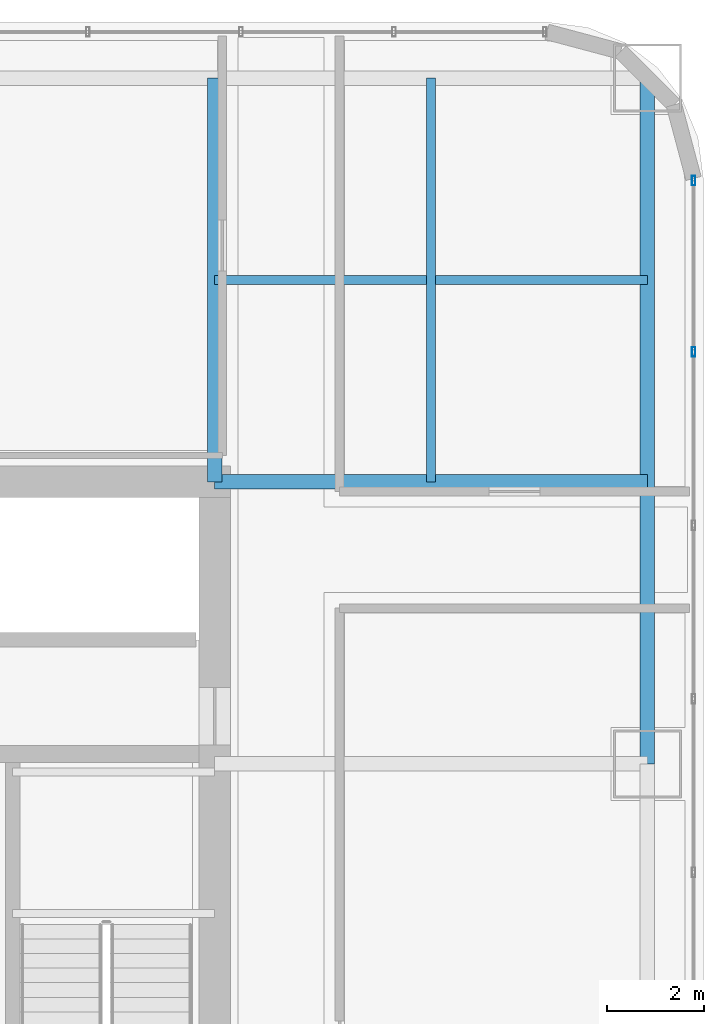
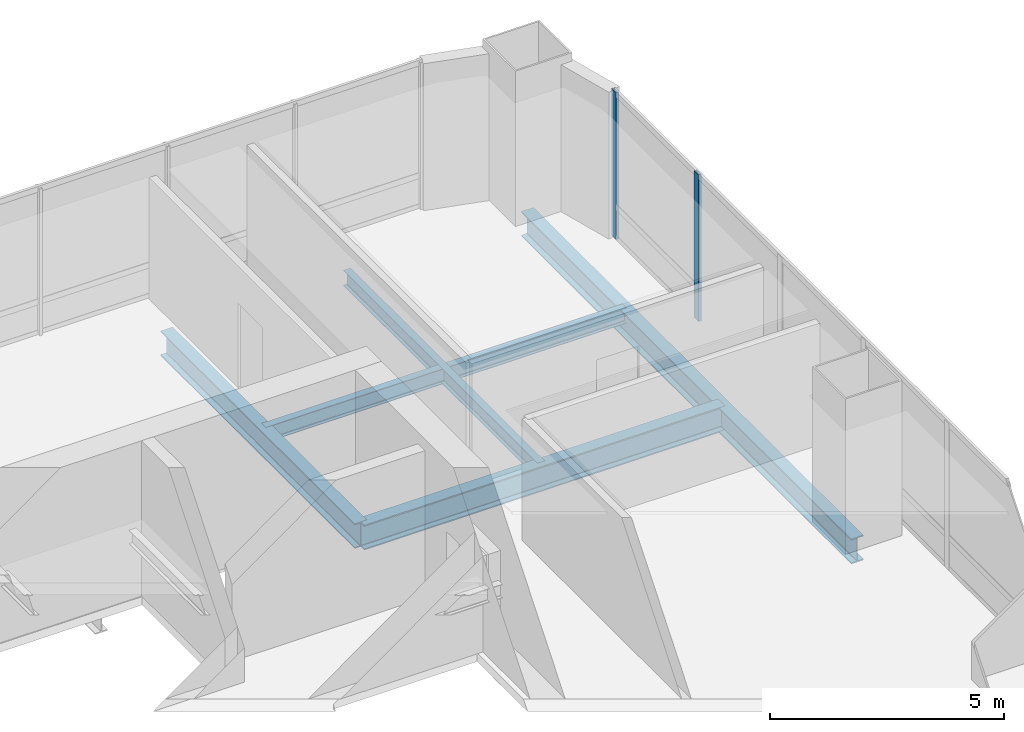
# One storey, part 23 of 38: 5 beams, 2 members, 1 element without a shape of its own.
"""IFC4 building model written with IfcOpenShell, lengths in metres."""

from ifc_helpers import new_model, si_unit, direction, frame, origin, origin_2d, place, context, subcontext, project, spatial, hollow_rectangle, i_section, extrude, material, material_profile, profile_set, type_object, element, aggregate, save


model = new_model("IFC4")

# Units and contexts
model_context = context("Model", 3, precision=1e-05, world=origin(), true_north=direction((0.0, 1.0)))
body_context = subcontext(model_context, "Body", "Model", "MODEL_VIEW")
ifc_project = project(units=[si_unit("LENGTHUNIT", "METRE"), si_unit("AREAUNIT", "SQUARE_METRE"), si_unit("VOLUMEUNIT", "CUBIC_METRE"), si_unit("PLANEANGLEUNIT", "RADIAN"), si_unit("MASSUNIT", "GRAM", prefix="KILO")], contexts=[model_context])

# Site, building, storey
site_placement = place(None, origin())
site = spatial("IfcSite", under=ifc_project, at=site_placement, CompositionType="ELEMENT")
building_placement = place(site_placement, origin())
building = spatial("IfcBuilding", under=site, at=building_placement, Name="Punatoya Terracotta Tower", CompositionType="ELEMENT")
storey_placement = place(building_placement, frame((0.0, 0.0, 188.39990234375)))
storey = spatial("IfcBuildingStorey", under=building, at=storey_placement, Name="L44", CompositionType="ELEMENT", Elevation=188.39990234375)

# Beams
ifc_material_1 = material(Name="Steel S355", Category="steel")
ifc_material_profile_1 = material_profile(ifc_material_1, i_section(OverallWidth=0.300048828125, OverallDepth=0.64990234375, WebThickness=0.01611328125, FlangeThickness=0.031005859375, FilletRadius=0.01806640625, at=origin_2d()))
ifc_profile_set_1 = profile_set([ifc_material_profile_1], Name="Steel S355")
beam_type_1 = type_object("IfcBeamType", Name="BM-PRI-650", PredefinedType="BEAM", material=ifc_profile_set_1)
beam_1_placement = place(storey_placement, frame((19.10009765625, 3.39990234375, -0.544921875), z_axis=(0.0, 1.0, 0.0), x_axis=(-1.0, 0.0, 0.0)))
element("IfcBeam", 1, at=beam_1_placement, inside=storey, type_object=beam_type_1, Name="BM-L44-RG-E3", PredefinedType="BEAM", context=body_context, shape_type="SweptSolid", body=[
    extrude(i_section(OverallWidth=0.300048828125, OverallDepth=0.64990234375, WebThickness=0.01611328125, FlangeThickness=0.031005859375, FilletRadius=0.01806640625, at=origin_2d()), origin(), (0.0, 0.0, 1.0), 14.10009765625),
])
beam_2_placement = place(storey_placement, frame((10.199951171875, 9.199951171875, -0.544921875), z_axis=(1.0, 0.0, 0.0), x_axis=(0.0, 1.0, 0.0)))
element("IfcBeam", 2, at=beam_2_placement, inside=storey, type_object=beam_type_1, Name="BM-L44-PR-EN", PredefinedType="BEAM", context=body_context, shape_type="SweptSolid", body=[
    extrude(i_section(OverallWidth=0.300048828125, OverallDepth=0.64990234375, WebThickness=0.01611328125, FlangeThickness=0.031005859375, FilletRadius=0.01806640625, at=origin_2d()), origin(), (0.0, 0.0, 1.0), 8.900146484375),
])
beam_3_placement = place(storey_placement, frame((10.199951171875, 9.199951171875, -0.544921875), z_axis=(0.0, 1.0, 0.0), x_axis=(-1.0, 0.0, 0.0)))
element("IfcBeam", 3, at=beam_3_placement, inside=storey, type_object=beam_type_1, Name="BM-L44-PR-N4", PredefinedType="BEAM", context=body_context, shape_type="SweptSolid", body=[
    extrude(i_section(OverallWidth=0.300048828125, OverallDepth=0.64990234375, WebThickness=0.01611328125, FlangeThickness=0.031005859375, FilletRadius=0.01806640625, at=origin_2d()), origin(), (0.0, 0.0, 1.0), 8.300048828125),
])
ifc_material_profile_2 = material_profile(ifc_material_1, i_section(OverallWidth=0.179931640625, OverallDepth=0.39990234375, WebThickness=0.008544921875, FlangeThickness=0.013427734375, FilletRadius=0.01806640625, at=origin_2d()))
ifc_profile_set_2 = profile_set([ifc_material_profile_2], Name="Steel S355")
beam_type_2 = type_object("IfcBeamType", Name="BM-SEC-400", PredefinedType="JOIST", material=ifc_profile_set_2)
beam_4_placement = place(storey_placement, frame((10.199951171875, 13.35009765625, -0.419921875), z_axis=(1.0, 0.0, 0.0), x_axis=(0.0, 1.0, 0.0)))
element("IfcBeam", 4, at=beam_4_placement, inside=storey, type_object=beam_type_2, Name="BM-L44-SJN-2", PredefinedType="JOIST", context=body_context, shape_type="SweptSolid", body=[
    extrude(i_section(OverallWidth=0.179931640625, OverallDepth=0.39990234375, WebThickness=0.008544921875, FlangeThickness=0.013427734375, FilletRadius=0.01806640625, at=origin_2d()), origin(), (0.0, 0.0, 1.0), 8.900146484375),
])
beam_5_placement = place(storey_placement, frame((14.64990234375, 9.199951171875, -0.419921875), z_axis=(0.0, 1.0, 0.0), x_axis=(-1.0, 0.0, 0.0)))
element("IfcBeam", 5, at=beam_5_placement, inside=storey, type_object=beam_type_2, Name="BM-L44-SJE-2", PredefinedType="JOIST", context=body_context, shape_type="SweptSolid", body=[
    extrude(i_section(OverallWidth=0.179931640625, OverallDepth=0.39990234375, WebThickness=0.008544921875, FlangeThickness=0.013427734375, FilletRadius=0.01806640625, at=origin_2d()), origin(), (0.0, 0.0, 1.0), 8.300048828125),
])

# Curtain wall, members
ifc_material_2 = material(Name="Aluminium 6063-T6 + Double Low-E Glass", Category="aluminium")
curtain_wall_type = type_object("IfcCurtainWallType", Name="CW-M2", PredefinedType="NOTDEFINED", material=ifc_material_2)
curtain_wall_placement = place(storey_placement, origin())
curtain_wall = element("IfcCurtainWall", 6, at=curtain_wall_placement, inside=storey, type_object=curtain_wall_type, Name="L44 Curtain Wall CW-L44-E05-1", PredefinedType="NOTDEFINED")
ifc_material_3 = material(Name="Aluminium 6063-T6", Category="aluminium")
ifc_material_profile_3 = material_profile(ifc_material_3, hollow_rectangle(XDim=0.072021484375, YDim=0.195068359375, WallThickness=0.00439453125, at=origin_2d()))
ifc_profile_set_3 = profile_set([ifc_material_profile_3], Name="Aluminium 6063-T6")
member_type = type_object("IfcMemberType", Name="CW-MUL-M2", PredefinedType="MULLION", material=ifc_profile_set_3)
member_1_placement = place(storey_placement, frame((20.050048828125, 11.869384765625, 0.0), z_axis=(0.0, 0.0, 1.0), x_axis=(1.0, 0.0, 0.0)))
member_1 = element("IfcMember", 7, at=member_1_placement, type_object=member_type, Name="CW-L44-E05-1 Mullion 09", PredefinedType="MULLION", context=body_context, shape_type="SweptSolid", body=[
    extrude(hollow_rectangle(XDim=0.072021484375, YDim=0.195068359375, WallThickness=0.00439453125, at=origin_2d()), origin(), (0.0, 0.0, 1.0), 3.830078125),
])
member_2_placement = place(storey_placement, frame((20.050048828125, 15.391845703125, 0.0), z_axis=(0.0, 0.0, 1.0), x_axis=(1.0, 0.0, 0.0)))
member_2 = element("IfcMember", 8, at=member_2_placement, type_object=member_type, Name="CW-L44-E05-1 Mullion 10", PredefinedType="MULLION", context=body_context, shape_type="SweptSolid", body=[
    extrude(hollow_rectangle(XDim=0.072021484375, YDim=0.195068359375, WallThickness=0.00439453125, at=origin_2d()), origin(), (0.0, 0.0, 1.0), 3.830078125),
])
aggregate(curtain_wall, [member_1, member_2])

save(model, "model.ifc")
